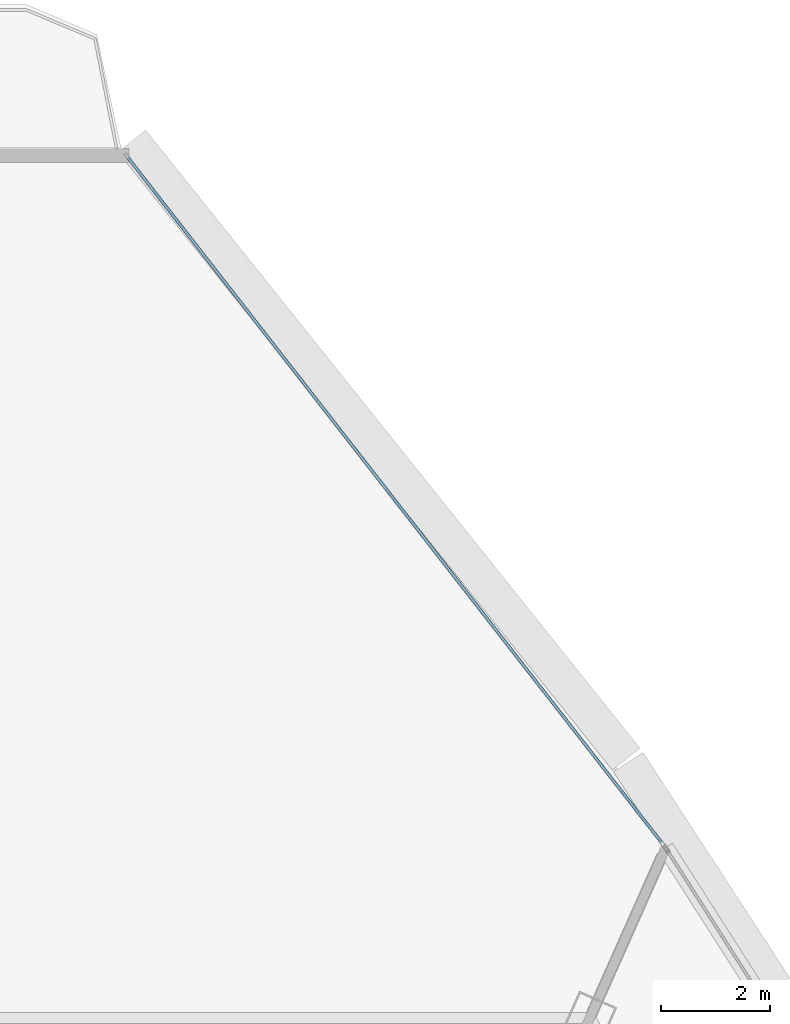
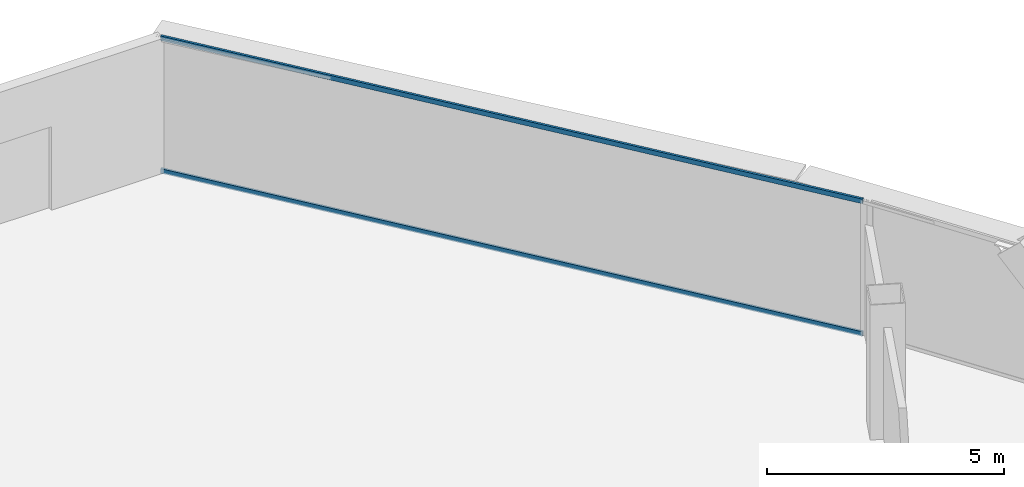
# One storey, part 24 of 37: 2 members, 1 element without a shape of its own.
"""IFC4 building model written with IfcOpenShell, lengths in metres."""

from ifc_helpers import new_model, si_unit, direction, frame, origin, origin_2d, place, context, subcontext, project, spatial, hollow_rectangle, extrude, source, transform, mapped, material, layer, layer_set, material_profile, profile_set, type_object, element, aggregate, save


model = new_model("IFC4")

# Units and contexts
model_context = context("Model", 3, precision=1e-05, world=origin(), true_north=direction((0.0, 1.0)))
body_context = subcontext(model_context, "Body", "Model", "MODEL_VIEW")
ifc_project = project(units=[si_unit("LENGTHUNIT", "METRE"), si_unit("AREAUNIT", "SQUARE_METRE"), si_unit("VOLUMEUNIT", "CUBIC_METRE"), si_unit("PLANEANGLEUNIT", "RADIAN"), si_unit("MASSUNIT", "GRAM", prefix="KILO"), si_unit("THERMODYNAMICTEMPERATUREUNIT", "KELVIN"), si_unit("POWERUNIT", "WATT")], contexts=[model_context])

# Site, building, storey
site_placement = place(None, origin())
site = spatial("IfcSite", under=ifc_project, at=site_placement, CompositionType="ELEMENT")
building_placement = place(site_placement, origin())
building = spatial("IfcBuilding", under=site, at=building_placement, Name="Yunzhuo Pagoda Commons", CompositionType="ELEMENT")
storey_placement = place(building_placement, frame((0.0, 0.0, 281.2900390625)))
storey = spatial("IfcBuildingStorey", under=building, at=storey_placement, Name="L70", CompositionType="ELEMENT", Elevation=281.2900390625)

# Curtain wall, members
ifc_material = material(Name="Anodized aluminium 6063-T6", Category="aluminium")
ifc_layer = layer(ifc_material, 0.139892578125)
ifc_layer_set = layer_set([ifc_layer], Name="Anodized aluminium 6063-T6")
curtain_wall_type = type_object("IfcCurtainWallType", Name="CW-HI High-Zone Ribbon Curtain Wall", PredefinedType="NOTDEFINED", material=ifc_layer_set)
curtain_wall_placement = place(storey_placement, origin())
curtain_wall = element("IfcCurtainWall", 1, at=curtain_wall_placement, inside=storey, type_object=curtain_wall_type, Name="L70 curtain wall CW-L70-F2B5", PredefinedType="NOTDEFINED")
ifc_material_profile = material_profile(ifc_material, hollow_rectangle(XDim=0.054931640625, YDim=0.1201171875, WallThickness=0.00341796875, at=origin_2d()), Name="Anodized aluminium 6063-T6")
ifc_profile_set = profile_set([ifc_material_profile], Name="Anodized aluminium 6063-T6")
member_type = type_object("IfcMemberType", Name="CW-HI-T Transom RHS 120x55x3.5", PredefinedType="USERDEFINED", material=ifc_profile_set)
shared_shape = source(origin(), body_context, "Body", "SweptSolid", [
    extrude(hollow_rectangle(XDim=0.054931640625, YDim=0.1201171875, WallThickness=0.00341796875, at=origin_2d()), origin(), (0.0, 0.0, 1.0), 15.966064453125),
])
member_1_placement = place(storey_placement, frame((61.427734375, 64.152099609375, 0.02734375), z_axis=(-0.61466551627, 0.788787869524, 0.0), x_axis=(-0.788787869524, -0.61466551627, 0.0)))
member_1 = element("IfcMember", 2, at=member_1_placement, type_object=member_type, Name="CW transom 1.1", ObjectType="TRANSOM", PredefinedType="USERDEFINED", context=body_context, shape_type="MappedRepresentation", body=[
    mapped(shared_shape, transform((0.0, 0.0, 0.0), scale=1.0)),
])
member_2_placement = place(storey_placement, frame((61.427734375, 64.152099609375, 3.4423828125), z_axis=(-0.61466551627, 0.788787869524, 0.0), x_axis=(-0.788787869524, -0.61466551627, 0.0)))
member_2 = element("IfcMember", 3, at=member_2_placement, type_object=member_type, Name="CW transom 1.2", ObjectType="TRANSOM", PredefinedType="USERDEFINED", context=body_context, shape_type="MappedRepresentation", body=[
    mapped(shared_shape, transform((0.0, 0.0, 0.0), scale=1.0)),
])
aggregate(curtain_wall, [member_1, member_2])

save(model, "model.ifc")
